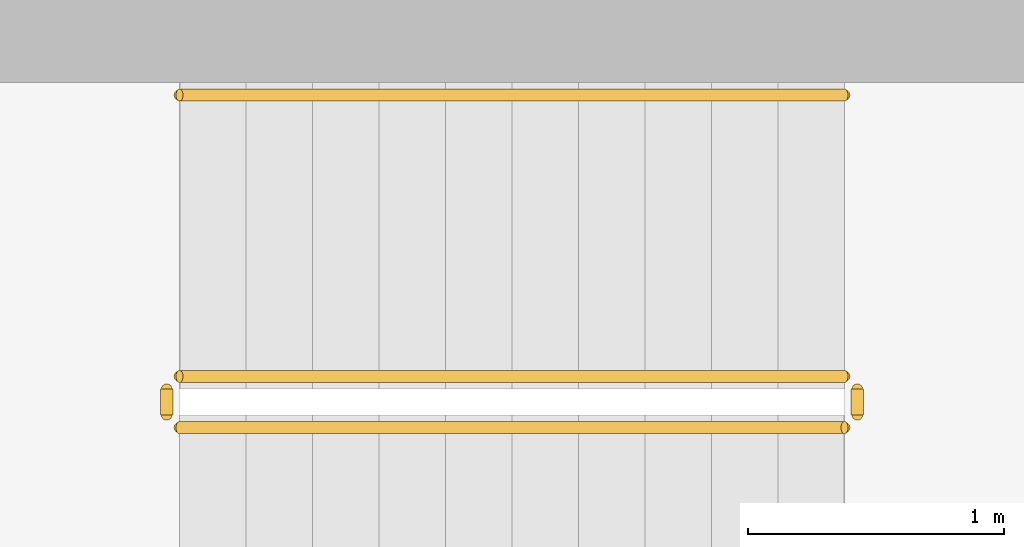
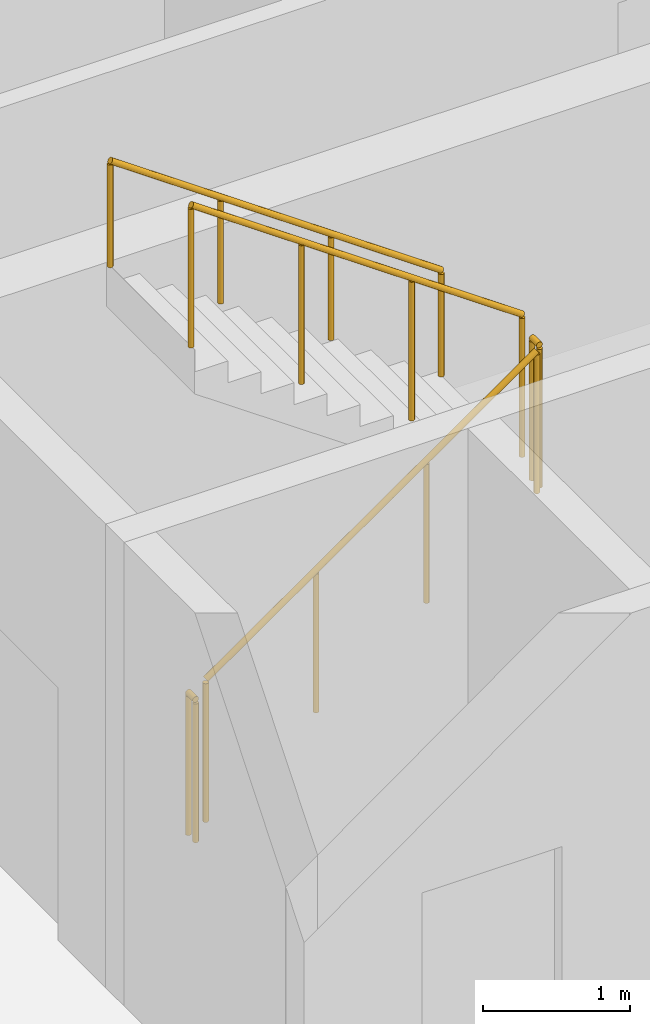
# One storey, part 19 of 22: 5 railings.
"""IFC4 building model written with IfcOpenShell, lengths in metres."""

from ifc_helpers import new_model, si_unit, direction, frame, origin, origin_2d, place, context, subcontext, project, spatial, circle, extrude, material, type_object, element, save


model = new_model("IFC4")

# Units and contexts
model_context = context("Model", 3, precision=1e-05, world=origin(), true_north=direction((0.0, 1.0)))
body_context = subcontext(model_context, "Body", "Model", "MODEL_VIEW")
ifc_project = project(units=[si_unit("LENGTHUNIT", "METRE"), si_unit("AREAUNIT", "SQUARE_METRE"), si_unit("VOLUMEUNIT", "CUBIC_METRE"), si_unit("PLANEANGLEUNIT", "RADIAN"), si_unit("MASSUNIT", "GRAM", prefix="KILO")], contexts=[model_context])

# Site, building, storey
site_placement = place(None, origin())
site = spatial("IfcSite", under=ifc_project, at=site_placement, CompositionType="ELEMENT")
building_placement = place(site_placement, origin())
building = spatial("IfcBuilding", under=site, at=building_placement, Name="Sahrelin Media Tower", CompositionType="ELEMENT")
storey_placement = place(building_placement, frame((0.0, 0.0, 283.0)))
storey = spatial("IfcBuildingStorey", under=building, at=storey_placement, Name="L62", CompositionType="ELEMENT", Elevation=283.0)

# Railings
ifc_material = material(Name="Steel S355", Category="steel")
railing_type_1 = type_object("IfcRailingType", Name="Stair guard 1200", PredefinedType="GUARDRAIL", material=ifc_material)
railing_1_placement = place(storey_placement, frame((-7.675048828125, 5.25, 0.181884765625)))
element("IfcRailing", 1, at=railing_1_placement, inside=storey, type_object=railing_type_1, Name="L62 ST1 stair guard 1", PredefinedType="GUARDRAIL", context=body_context, shape_type="SweptSolid", body=[
    extrude(circle(Radius=0.02392578125, at=origin_2d()), frame((0.0, 0.0, 1.17578125), z_axis=(0.819521025635, 0.0, 0.573049115296), x_axis=(0.0, 1.0, 0.0)), (0.0, 0.0, 1.0), 3.172607421875),
    extrude(circle(Radius=0.02099609375, at=origin_2d()), origin(), (0.0, 0.0, 1.0), 1.15185546875),
    extrude(circle(Radius=0.02099609375, at=origin_2d()), frame((0.86669921875, 0.0, 0.60595703125)), (0.0, 0.0, 1.0), 1.15185546875),
    extrude(circle(Radius=0.02099609375, at=origin_2d()), frame((1.7333984375, 0.0, 1.212158203125)), (0.0, 0.0, 1.0), 1.15185546875),
    extrude(circle(Radius=0.02099609375, at=origin_2d()), frame((2.60009765625, 0.0, 1.818115234375)), (0.0, 0.0, 1.0), 1.15185546875),
])
railing_2_placement = place(storey_placement, frame((-5.02490234375, 5.300048828125, 2.0)))
element("IfcRailing", 2, at=railing_2_placement, inside=storey, type_object=railing_type_1, Name="L62 ST1 stair guard 2", PredefinedType="GUARDRAIL", context=body_context, shape_type="SweptSolid", body=[
    extrude(circle(Radius=0.02392578125, at=origin_2d()), frame((0.0, 0.0, 1.17578125), z_axis=(0.0, 1.0, 0.0), x_axis=(-1.0, 0.0, 0.0)), (0.0, 0.0, 1.0), 0.099853515625),
    extrude(circle(Radius=0.02099609375, at=origin_2d()), origin(), (0.0, 0.0, 1.0), 1.15185546875),
    extrude(circle(Radius=0.02099609375, at=origin_2d()), frame((0.0, 0.099853515625, 0.0)), (0.0, 0.0, 1.0), 1.15185546875),
])
railing_3_placement = place(storey_placement, frame((-5.074951171875, 5.449951171875, 2.181884765625)))
element("IfcRailing", 3, at=railing_3_placement, inside=storey, type_object=railing_type_1, Name="L62 ST1 stair guard 3", PredefinedType="GUARDRAIL", context=body_context, shape_type="SweptSolid", body=[
    extrude(circle(Radius=0.02392578125, at=origin_2d()), frame((0.0, 0.0, 1.17578125), z_axis=(-0.819521025635, 0.0, 0.573049115296), x_axis=(0.0, -1.0, 0.0)), (0.0, 0.0, 1.0), 3.172607421875),
    extrude(circle(Radius=0.02099609375, at=origin_2d()), origin(), (0.0, 0.0, 1.0), 1.15185546875),
    extrude(circle(Radius=0.02099609375, at=origin_2d()), frame((-0.86669921875, 0.0, 0.60595703125)), (0.0, 0.0, 1.0), 1.15185546875),
    extrude(circle(Radius=0.02099609375, at=origin_2d()), frame((-1.7333984375, 0.0, 1.212158203125)), (0.0, 0.0, 1.0), 1.15185546875),
    extrude(circle(Radius=0.02099609375, at=origin_2d()), frame((-2.60009765625, 0.0, 1.818115234375)), (0.0, 0.0, 1.0), 1.15185546875),
])
railing_4_placement = place(storey_placement, frame((-7.72509765625, 5.300048828125, 0.0)))
element("IfcRailing", 4, at=railing_4_placement, inside=storey, type_object=railing_type_1, Name="L62 ST1 stair guard 4", PredefinedType="GUARDRAIL", context=body_context, shape_type="SweptSolid", body=[
    extrude(circle(Radius=0.02392578125, at=origin_2d()), frame((0.0, 0.0, 1.17578125), z_axis=(0.0, 1.0, 0.0), x_axis=(-1.0, 0.0, 0.0)), (0.0, 0.0, 1.0), 0.099853515625),
    extrude(circle(Radius=0.02099609375, at=origin_2d()), origin(), (0.0, 0.0, 1.0), 1.15185546875),
    extrude(circle(Radius=0.02099609375, at=origin_2d()), frame((0.0, 0.099853515625, 0.0)), (0.0, 0.0, 1.0), 1.15185546875),
])
railing_type_2 = type_object("IfcRailingType", Name="Stair handrail 900", PredefinedType="HANDRAIL", material=ifc_material)
railing_5_placement = place(storey_placement, frame((-5.074951171875, 6.550048828125, 2.181884765625)))
element("IfcRailing", 5, at=railing_5_placement, inside=storey, type_object=railing_type_2, Name="L62 ST1 stair handrail 2", PredefinedType="HANDRAIL", context=body_context, shape_type="SweptSolid", body=[
    extrude(circle(Radius=0.02392578125, at=origin_2d()), frame((0.0, 0.0, 0.8759765625), z_axis=(-0.819521025635, 0.0, 0.573049115296), x_axis=(0.0, -1.0, 0.0)), (0.0, 0.0, 1.0), 3.172607421875),
    extrude(circle(Radius=0.02099609375, at=origin_2d()), origin(), (0.0, 0.0, 1.0), 0.851806640625),
    extrude(circle(Radius=0.02099609375, at=origin_2d()), frame((-0.86669921875, 0.0, 0.60595703125)), (0.0, 0.0, 1.0), 0.851806640625),
    extrude(circle(Radius=0.02099609375, at=origin_2d()), frame((-1.7333984375, 0.0, 1.212158203125)), (0.0, 0.0, 1.0), 0.851806640625),
    extrude(circle(Radius=0.02099609375, at=origin_2d()), frame((-2.60009765625, 0.0, 1.818115234375)), (0.0, 0.0, 1.0), 0.851806640625),
])

save(model, "model.ifc")
